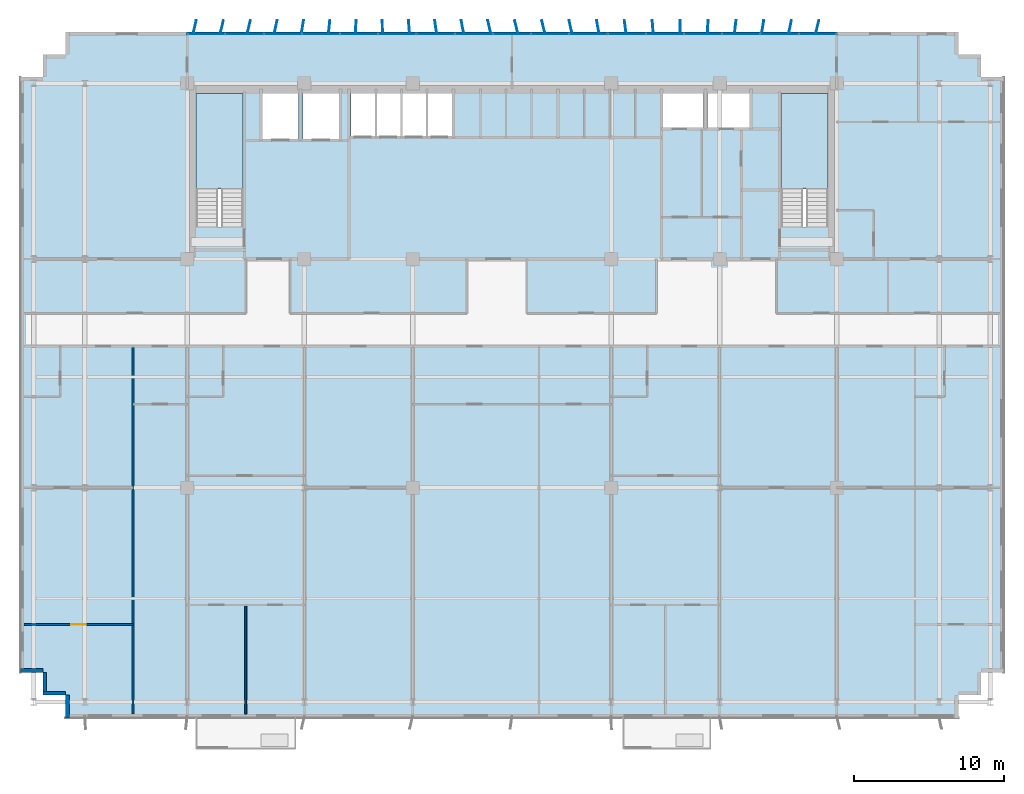
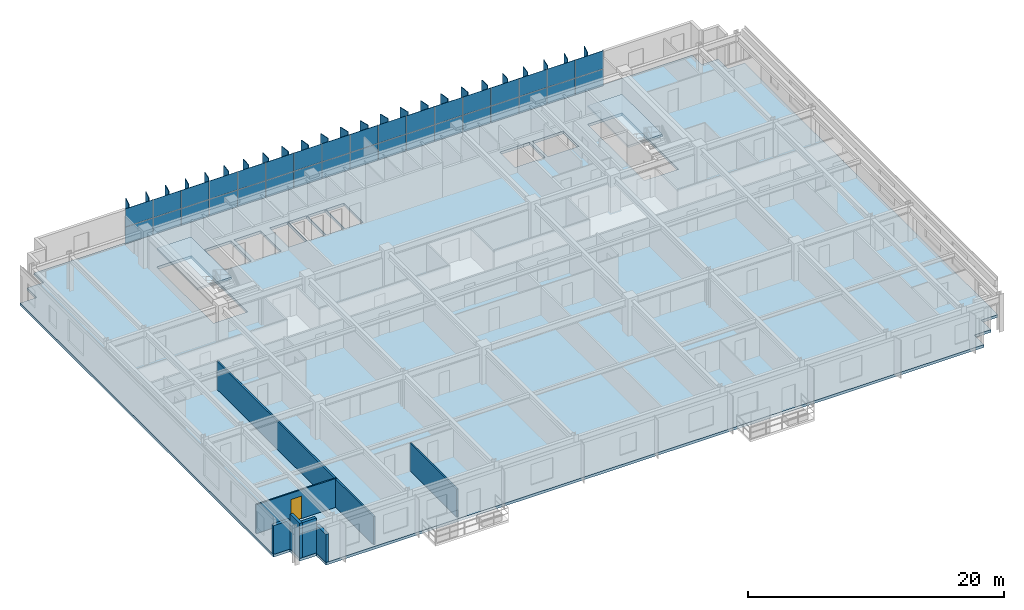
# One storey, part 14 of 22: 58 plates, 7 walls, 3 slabs, 1 door, 1 opening, 3 elements without a shape of their own.
"""IFC4 building model written with IfcOpenShell, lengths in metres."""

from ifc_helpers import new_model, si_unit, direction, frame, frame_2d, origin, origin_2d, place, context, subcontext, project, spatial, polyline, rectangle, outline, extrude, source, transform, mapped, material, layer, layer_set, type_object, element, fill, aggregate, save


model = new_model("IFC4")

# Units and contexts
model_context = context("Model", 3, precision=1e-05, world=origin(), true_north=direction((0.0, 1.0)))
body_context = subcontext(model_context, "Body", "Model", "MODEL_VIEW")
ifc_project = project(units=[si_unit("LENGTHUNIT", "METRE"), si_unit("AREAUNIT", "SQUARE_METRE"), si_unit("VOLUMEUNIT", "CUBIC_METRE"), si_unit("PLANEANGLEUNIT", "RADIAN"), si_unit("MASSUNIT", "GRAM", prefix="KILO")], contexts=[model_context])

# Site, building, storey
site_placement = place(None, origin())
site = spatial("IfcSite", under=ifc_project, at=site_placement, CompositionType="ELEMENT")
building_placement = place(site_placement, origin())
building = spatial("IfcBuilding", under=site, at=building_placement, Name="Trelvane Seafront Commons", CompositionType="ELEMENT")
storey_placement = place(building_placement, frame((0.0, 0.0, 45.10009765625)))
storey = spatial("IfcBuildingStorey", under=building, at=storey_placement, Name="L11", CompositionType="ELEMENT", Elevation=45.10009765625)

# Stair, slab
ifc_material_1 = material(Name="Concrete C40/50", Category="concrete")
stair_type_1 = type_object("IfcStairType", Name="ARCH-STR-ST-1-R20-180", PredefinedType="HALF_TURN_STAIR", material=ifc_material_1)
stair_1_placement = place(storey_placement, origin())
stair_1 = element("IfcStair", 1, at=stair_1_placement, inside=storey, type_object=stair_type_1, Name="L11 West Protected Firefighting Exit Stair ST-1", PredefinedType="HALF_TURN_STAIR")
ifc_layer_1 = layer(ifc_material_1, 0.199951171875, Name="ARCH-LND-200")
ifc_layer_set_1 = layer_set([ifc_layer_1], Name="Concrete C40/50")
slab_type_1 = type_object("IfcSlabType", Name="ARCH-LND-200", PredefinedType="LANDING", material=ifc_layer_set_1)
slab_1_placement = place(storey_placement, frame((0.0, 0.0, 1.599853515625)))
slab_1 = element("IfcSlab", 2, at=slab_1_placement, type_object=slab_type_1, Name="ST-1 landing 1", PredefinedType="LANDING", context=body_context, shape_type="SweptSolid", body=[
    extrude(outline(polyline([(19.300048828125, 38.070068359375), (19.300048828125, 44.39990234375), (16.199951171875, 44.39990234375), (16.199951171875, 38.070068359375), (19.300048828125, 38.070068359375)])), origin(), (0.0, 0.0, 1.0), 0.199951171875),
])
aggregate(stair_1, [slab_1])

stair_type_2 = type_object("IfcStairType", Name="ARCH-STR-ST-2-R20-180", PredefinedType="HALF_TURN_STAIR", material=ifc_material_1)
stair_2_placement = place(storey_placement, origin())
stair_2 = element("IfcStair", 3, at=stair_2_placement, inside=storey, type_object=stair_type_2, Name="L11 East Protected Firefighting Exit Stair ST-2", PredefinedType="HALF_TURN_STAIR")
slab_2_placement = place(storey_placement, frame((0.0, 0.0, 1.599853515625)))
slab_2 = element("IfcSlab", 4, at=slab_2_placement, type_object=slab_type_1, Name="ST-2 landing 1", PredefinedType="LANDING", context=body_context, shape_type="SweptSolid", body=[
    extrude(outline(polyline([(58.199951171875, 38.070068359375), (58.199951171875, 44.39990234375), (55.10009765625, 44.39990234375), (55.10009765625, 38.070068359375), (58.199951171875, 38.070068359375)])), origin(), (0.0, 0.0, 1.0), 0.199951171875),
])
aggregate(stair_2, [slab_2])

# Slab
ifc_material_2 = material(Name="Concrete C50/60", Category="concrete")
ifc_layer_2 = layer(ifc_material_2, 0.260009765625, Name="STR-SLB-Z1-260")
ifc_layer_set_2 = layer_set([ifc_layer_2], Name="Concrete C50/60")
slab_type_2 = type_object("IfcSlabType", Name="STR-SLB-Z1-260", PredefinedType="FLOOR", material=ifc_layer_set_2)
slab_3_placement = place(storey_placement, frame((0.0, 0.0, -0.260009765625)))
element("IfcSlab", 5, at=slab_3_placement, inside=storey, type_object=slab_type_2, Name="L11 Structural Floor Slab", PredefinedType="FLOOR", context=body_context, shape_type="SweptSolid", body=[
    extrude(outline(polyline([(7.5, 2.89990234375), (66.89990234375, 2.89990234375), (66.89990234375, 4.39990234375), (68.39990234375, 4.39990234375), (68.39990234375, 5.89990234375), (69.89990234375, 5.89990234375), (69.89990234375, 45.5), (68.39990234375, 45.5), (68.39990234375, 47.0), (66.89990234375, 47.0), (66.89990234375, 48.5), (7.5, 48.5), (7.5, 47.0), (6.0, 47.0), (6.0, 45.5), (4.5, 45.5), (4.5, 5.89990234375), (6.0, 5.89990234375), (6.0, 4.39990234375), (7.5, 4.39990234375), (7.5, 2.89990234375)]), holes=[polyline([(19.300048828125, 35.550048828125), (16.199951171875, 35.550048828125), (16.199951171875, 44.39990234375), (19.300048828125, 44.39990234375), (19.300048828125, 35.550048828125)]), polyline([(58.199951171875, 35.550048828125), (55.10009765625, 35.550048828125), (55.10009765625, 44.39990234375), (58.199951171875, 44.39990234375), (58.199951171875, 35.550048828125)]), polyline([(23.0, 41.39990234375), (20.60009765625, 41.39990234375), (20.60009765625, 44.60009765625), (23.0, 44.60009765625), (23.0, 41.39990234375)]), polyline([(23.300048828125, 41.39990234375), (23.300048828125, 44.60009765625), (25.699951171875, 44.60009765625), (25.699951171875, 41.39990234375), (23.300048828125, 41.39990234375)]), polyline([(26.5, 41.60009765625), (26.5, 44.60009765625), (28.1201171875, 44.60009765625), (28.1201171875, 41.60009765625), (26.5, 41.60009765625)]), polyline([(29.820068359375, 41.60009765625), (28.199951171875, 41.60009765625), (28.199951171875, 44.60009765625), (29.820068359375, 44.60009765625), (29.820068359375, 41.60009765625)]), polyline([(31.52001953125, 41.60009765625), (29.89990234375, 41.60009765625), (29.89990234375, 44.60009765625), (31.52001953125, 44.60009765625), (31.52001953125, 41.60009765625)]), polyline([(33.219970703125, 41.60009765625), (31.60009765625, 41.60009765625), (31.60009765625, 44.60009765625), (33.219970703125, 44.60009765625), (33.219970703125, 41.60009765625)]), polyline([(47.25, 42.14990234375), (47.25, 44.550048828125), (49.949951171875, 44.550048828125), (49.949951171875, 42.14990234375), (47.25, 42.14990234375)]), polyline([(50.199951171875, 42.14990234375), (50.199951171875, 44.550048828125), (53.0, 44.550048828125), (53.0, 42.14990234375), (50.199951171875, 42.14990234375)])]), origin(), (0.0, 0.0, 1.0), 0.260009765625),
])

# Curtain wall, plates
ifc_material_3 = material(Name="Anodised pale-silver aluminium", Category="aluminium")
curtain_wall_type = type_object("IfcCurtainWallType", Name="ARCH-CW2-LOWTOWER", PredefinedType="NOTDEFINED", material=ifc_material_3)
curtain_wall_placement = place(storey_placement, origin())
curtain_wall = element("IfcCurtainWall", 6, at=curtain_wall_placement, inside=storey, type_object=curtain_wall_type, Name="CW-L11-0035", PredefinedType="NOTDEFINED")
ifc_material_4 = material(Name="Low-E coastal double glazing", Category="glass")
ifc_layer_3 = layer(ifc_material_4, 0.033935546875, Name="ARCH-CW-GLAZ-34")
ifc_layer_set_3 = layer_set([ifc_layer_3], Name="Low-E coastal double glazing")
plate_type_1 = type_object("IfcPlateType", Name="ARCH-CW-GLAZ-34", PredefinedType="CURTAIN_PANEL", material=ifc_layer_set_3)
shared_shape_1 = source(origin(), body_context, "Body", "SweptSolid", [
    extrude(rectangle(XDim=2.51708984375, YDim=0.031982421875, at=origin_2d()), origin(), (0.0, 0.0, 1.0), 1.5849609375),
])
plate_1_placement = place(storey_placement, frame((16.87060546875, 48.3701171875, 0.0), z_axis=(0.0, 0.0, 1.0), x_axis=(1.0, 0.0, 0.0)))
plate_1 = element("IfcPlate", 7, at=plate_1_placement, type_object=plate_type_1, Name="CW-L11-0035-P00-1", PredefinedType="CURTAIN_PANEL", context=body_context, shape_type="MappedRepresentation", body=[
    mapped(shared_shape_1, transform((0.0, 0.0, 0.0), x_axis=(1.0, 0.0, 0.0), y_axis=(0.0, 1.0, 0.0), z_axis=(0.0, 0.0, 1.0), scale=1.0)),
])
plate_2_placement = place(storey_placement, frame((19.411865234375, 48.3701171875, 0.0), z_axis=(0.0, 0.0, 1.0), x_axis=(1.0, 0.0, 0.0)))
plate_2 = element("IfcPlate", 8, at=plate_2_placement, type_object=plate_type_1, Name="CW-L11-0035-P01-1", PredefinedType="CURTAIN_PANEL", context=body_context, shape_type="MappedRepresentation", body=[
    mapped(shared_shape_1, transform((0.0, 0.0, 0.0), x_axis=(1.0, 0.0, 0.0), y_axis=(0.0, 1.0, 0.0), z_axis=(0.0, 0.0, 1.0), scale=1.0)),
])
plate_3_placement = place(storey_placement, frame((21.952880859375, 48.3701171875, 0.0), z_axis=(0.0, 0.0, 1.0), x_axis=(1.0, 0.0, 0.0)))
plate_3 = element("IfcPlate", 9, at=plate_3_placement, type_object=plate_type_1, Name="CW-L11-0035-P02-1", PredefinedType="CURTAIN_PANEL", context=body_context, shape_type="MappedRepresentation", body=[
    mapped(shared_shape_1, transform((0.0, 0.0, 0.0), x_axis=(1.0, 0.0, 0.0), y_axis=(0.0, 1.0, 0.0), z_axis=(0.0, 0.0, 1.0), scale=1.0)),
])
plate_4_placement = place(storey_placement, frame((24.494140625, 48.3701171875, 0.0), z_axis=(0.0, 0.0, 1.0), x_axis=(1.0, 0.0, 0.0)))
plate_4 = element("IfcPlate", 10, at=plate_4_placement, type_object=plate_type_1, Name="CW-L11-0035-P03-1", PredefinedType="CURTAIN_PANEL", context=body_context, shape_type="MappedRepresentation", body=[
    mapped(shared_shape_1, transform((0.0, 0.0, 0.0), x_axis=(1.0, 0.0, 0.0), y_axis=(0.0, 1.0, 0.0), z_axis=(0.0, 0.0, 1.0), scale=1.0)),
])
plate_5_placement = place(storey_placement, frame((27.035400390625, 48.3701171875, 0.0), z_axis=(0.0, 0.0, 1.0), x_axis=(1.0, 0.0, 0.0)))
plate_5 = element("IfcPlate", 11, at=plate_5_placement, type_object=plate_type_1, Name="CW-L11-0035-P04-1", PredefinedType="CURTAIN_PANEL", context=body_context, shape_type="MappedRepresentation", body=[
    mapped(shared_shape_1, transform((0.0, 0.0, 0.0), x_axis=(1.0, 0.0, 0.0), y_axis=(0.0, 1.0, 0.0), z_axis=(0.0, 0.0, 1.0), scale=1.0)),
])
plate_6_placement = place(storey_placement, frame((29.576416015625, 48.3701171875, 0.0), z_axis=(0.0, 0.0, 1.0), x_axis=(1.0, 0.0, 0.0)))
plate_6 = element("IfcPlate", 12, at=plate_6_placement, type_object=plate_type_1, Name="CW-L11-0035-P05-1", PredefinedType="CURTAIN_PANEL", context=body_context, shape_type="MappedRepresentation", body=[
    mapped(shared_shape_1, transform((0.0, 0.0, 0.0), x_axis=(1.0, 0.0, 0.0), y_axis=(0.0, 1.0, 0.0), z_axis=(0.0, 0.0, 1.0), scale=1.0)),
])
plate_7_placement = place(storey_placement, frame((32.11767578125, 48.3701171875, 0.0), z_axis=(0.0, 0.0, 1.0), x_axis=(1.0, 0.0, 0.0)))
plate_7 = element("IfcPlate", 13, at=plate_7_placement, type_object=plate_type_1, Name="CW-L11-0035-P06-1", PredefinedType="CURTAIN_PANEL", context=body_context, shape_type="MappedRepresentation", body=[
    mapped(shared_shape_1, transform((0.0, 0.0, 0.0), x_axis=(1.0, 0.0, 0.0), y_axis=(0.0, 1.0, 0.0), z_axis=(0.0, 0.0, 1.0), scale=1.0)),
])
plate_8_placement = place(storey_placement, frame((34.65869140625, 48.3701171875, 0.0), z_axis=(0.0, 0.0, 1.0), x_axis=(1.0, 0.0, 0.0)))
plate_8 = element("IfcPlate", 14, at=plate_8_placement, type_object=plate_type_1, Name="CW-L11-0035-P07-1", PredefinedType="CURTAIN_PANEL", context=body_context, shape_type="MappedRepresentation", body=[
    mapped(shared_shape_1, transform((0.0, 0.0, 0.0), x_axis=(1.0, 0.0, 0.0), y_axis=(0.0, 1.0, 0.0), z_axis=(0.0, 0.0, 1.0), scale=1.0)),
])
plate_9_placement = place(storey_placement, frame((37.199951171875, 48.3701171875, 0.0), z_axis=(0.0, 0.0, 1.0), x_axis=(1.0, 0.0, 0.0)))
plate_9 = element("IfcPlate", 15, at=plate_9_placement, type_object=plate_type_1, Name="CW-L11-0035-P08-1", PredefinedType="CURTAIN_PANEL", context=body_context, shape_type="MappedRepresentation", body=[
    mapped(shared_shape_1, transform((0.0, 0.0, 0.0), x_axis=(1.0, 0.0, 0.0), y_axis=(0.0, 1.0, 0.0), z_axis=(0.0, 0.0, 1.0), scale=1.0)),
])
plate_10_placement = place(storey_placement, frame((39.7412109375, 48.3701171875, 0.0), z_axis=(0.0, 0.0, 1.0), x_axis=(1.0, 0.0, 0.0)))
plate_10 = element("IfcPlate", 16, at=plate_10_placement, type_object=plate_type_1, Name="CW-L11-0035-P09-1", PredefinedType="CURTAIN_PANEL", context=body_context, shape_type="MappedRepresentation", body=[
    mapped(shared_shape_1, transform((0.0, 0.0, 0.0), x_axis=(1.0, 0.0, 0.0), y_axis=(0.0, 1.0, 0.0), z_axis=(0.0, 0.0, 1.0), scale=1.0)),
])
plate_11_placement = place(storey_placement, frame((42.282470703125, 48.3701171875, 0.0), z_axis=(0.0, 0.0, 1.0), x_axis=(1.0, 0.0, 0.0)))
plate_11 = element("IfcPlate", 17, at=plate_11_placement, type_object=plate_type_1, Name="CW-L11-0035-P10-1", PredefinedType="CURTAIN_PANEL", context=body_context, shape_type="MappedRepresentation", body=[
    mapped(shared_shape_1, transform((0.0, 0.0, 0.0), x_axis=(1.0, 0.0, 0.0), y_axis=(0.0, 1.0, 0.0), z_axis=(0.0, 0.0, 1.0), scale=1.0)),
])
plate_12_placement = place(storey_placement, frame((44.823486328125, 48.3701171875, 0.0), z_axis=(0.0, 0.0, 1.0), x_axis=(1.0, 0.0, 0.0)))
plate_12 = element("IfcPlate", 18, at=plate_12_placement, type_object=plate_type_1, Name="CW-L11-0035-P11-1", PredefinedType="CURTAIN_PANEL", context=body_context, shape_type="MappedRepresentation", body=[
    mapped(shared_shape_1, transform((0.0, 0.0, 0.0), x_axis=(1.0, 0.0, 0.0), y_axis=(0.0, 1.0, 0.0), z_axis=(0.0, 0.0, 1.0), scale=1.0)),
])
plate_13_placement = place(storey_placement, frame((47.36474609375, 48.3701171875, 0.0), z_axis=(0.0, 0.0, 1.0), x_axis=(1.0, 0.0, 0.0)))
plate_13 = element("IfcPlate", 19, at=plate_13_placement, type_object=plate_type_1, Name="CW-L11-0035-P12-1", PredefinedType="CURTAIN_PANEL", context=body_context, shape_type="MappedRepresentation", body=[
    mapped(shared_shape_1, transform((0.0, 0.0, 0.0), x_axis=(1.0, 0.0, 0.0), y_axis=(0.0, 1.0, 0.0), z_axis=(0.0, 0.0, 1.0), scale=1.0)),
])
plate_14_placement = place(storey_placement, frame((49.906005859375, 48.3701171875, 0.0), z_axis=(0.0, 0.0, 1.0), x_axis=(1.0, 0.0, 0.0)))
plate_14 = element("IfcPlate", 20, at=plate_14_placement, type_object=plate_type_1, Name="CW-L11-0035-P13-1", PredefinedType="CURTAIN_PANEL", context=body_context, shape_type="MappedRepresentation", body=[
    mapped(shared_shape_1, transform((0.0, 0.0, 0.0), x_axis=(1.0, 0.0, 0.0), y_axis=(0.0, 1.0, 0.0), z_axis=(0.0, 0.0, 1.0), scale=1.0)),
])
plate_15_placement = place(storey_placement, frame((52.447021484375, 48.3701171875, 0.0), z_axis=(0.0, 0.0, 1.0), x_axis=(1.0, 0.0, 0.0)))
plate_15 = element("IfcPlate", 21, at=plate_15_placement, type_object=plate_type_1, Name="CW-L11-0035-P14-1", PredefinedType="CURTAIN_PANEL", context=body_context, shape_type="MappedRepresentation", body=[
    mapped(shared_shape_1, transform((0.0, 0.0, 0.0), x_axis=(1.0, 0.0, 0.0), y_axis=(0.0, 1.0, 0.0), z_axis=(0.0, 0.0, 1.0), scale=1.0)),
])
plate_16_placement = place(storey_placement, frame((54.98828125, 48.3701171875, 0.0), z_axis=(0.0, 0.0, 1.0), x_axis=(1.0, 0.0, 0.0)))
plate_16 = element("IfcPlate", 22, at=plate_16_placement, type_object=plate_type_1, Name="CW-L11-0035-P15-1", PredefinedType="CURTAIN_PANEL", context=body_context, shape_type="MappedRepresentation", body=[
    mapped(shared_shape_1, transform((0.0, 0.0, 0.0), x_axis=(1.0, 0.0, 0.0), y_axis=(0.0, 1.0, 0.0), z_axis=(0.0, 0.0, 1.0), scale=1.0)),
])
plate_17_placement = place(storey_placement, frame((57.529296875, 48.3701171875, 0.0), z_axis=(0.0, 0.0, 1.0), x_axis=(1.0, 0.0, 0.0)))
plate_17 = element("IfcPlate", 23, at=plate_17_placement, type_object=plate_type_1, Name="CW-L11-0035-P16-1", PredefinedType="CURTAIN_PANEL", context=body_context, shape_type="MappedRepresentation", body=[
    mapped(shared_shape_1, transform((0.0, 0.0, 0.0), x_axis=(1.0, 0.0, 0.0), y_axis=(0.0, 1.0, 0.0), z_axis=(0.0, 0.0, 1.0), scale=1.0)),
])
shared_shape_2 = source(origin(), body_context, "Body", "SweptSolid", [
    extrude(rectangle(XDim=2.51708984375, YDim=0.031982421875, at=origin_2d()), origin(), (0.0, 0.0, 1.0), 1.718994140625),
])
plate_18_placement = place(storey_placement, frame((16.87060546875, 48.3701171875, 1.62109375), z_axis=(0.0, 0.0, 1.0), x_axis=(1.0, 0.0, 0.0)))
plate_18 = element("IfcPlate", 24, at=plate_18_placement, type_object=plate_type_1, Name="CW-L11-0035-P00-2", PredefinedType="CURTAIN_PANEL", context=body_context, shape_type="MappedRepresentation", body=[
    mapped(shared_shape_2, transform((0.0, 0.0, 0.0), x_axis=(1.0, 0.0, 0.0), y_axis=(0.0, 1.0, 0.0), z_axis=(0.0, 0.0, 1.0), scale=1.0)),
])
plate_19_placement = place(storey_placement, frame((19.411865234375, 48.3701171875, 1.62109375), z_axis=(0.0, 0.0, 1.0), x_axis=(1.0, 0.0, 0.0)))
plate_19 = element("IfcPlate", 25, at=plate_19_placement, type_object=plate_type_1, Name="CW-L11-0035-P01-2", PredefinedType="CURTAIN_PANEL", context=body_context, shape_type="MappedRepresentation", body=[
    mapped(shared_shape_2, transform((0.0, 0.0, 0.0), x_axis=(1.0, 0.0, 0.0), y_axis=(0.0, 1.0, 0.0), z_axis=(0.0, 0.0, 1.0), scale=1.0)),
])
plate_20_placement = place(storey_placement, frame((21.952880859375, 48.3701171875, 1.62109375), z_axis=(0.0, 0.0, 1.0), x_axis=(1.0, 0.0, 0.0)))
plate_20 = element("IfcPlate", 26, at=plate_20_placement, type_object=plate_type_1, Name="CW-L11-0035-P02-2", PredefinedType="CURTAIN_PANEL", context=body_context, shape_type="MappedRepresentation", body=[
    mapped(shared_shape_2, transform((0.0, 0.0, 0.0), x_axis=(1.0, 0.0, 0.0), y_axis=(0.0, 1.0, 0.0), z_axis=(0.0, 0.0, 1.0), scale=1.0)),
])
plate_21_placement = place(storey_placement, frame((24.494140625, 48.3701171875, 1.62109375), z_axis=(0.0, 0.0, 1.0), x_axis=(1.0, 0.0, 0.0)))
plate_21 = element("IfcPlate", 27, at=plate_21_placement, type_object=plate_type_1, Name="CW-L11-0035-P03-2", PredefinedType="CURTAIN_PANEL", context=body_context, shape_type="MappedRepresentation", body=[
    mapped(shared_shape_2, transform((0.0, 0.0, 0.0), x_axis=(1.0, 0.0, 0.0), y_axis=(0.0, 1.0, 0.0), z_axis=(0.0, 0.0, 1.0), scale=1.0)),
])
plate_22_placement = place(storey_placement, frame((27.035400390625, 48.3701171875, 1.62109375), z_axis=(0.0, 0.0, 1.0), x_axis=(1.0, 0.0, 0.0)))
plate_22 = element("IfcPlate", 28, at=plate_22_placement, type_object=plate_type_1, Name="CW-L11-0035-P04-2", PredefinedType="CURTAIN_PANEL", context=body_context, shape_type="MappedRepresentation", body=[
    mapped(shared_shape_2, transform((0.0, 0.0, 0.0), x_axis=(1.0, 0.0, 0.0), y_axis=(0.0, 1.0, 0.0), z_axis=(0.0, 0.0, 1.0), scale=1.0)),
])
plate_23_placement = place(storey_placement, frame((29.576416015625, 48.3701171875, 1.62109375), z_axis=(0.0, 0.0, 1.0), x_axis=(1.0, 0.0, 0.0)))
plate_23 = element("IfcPlate", 29, at=plate_23_placement, type_object=plate_type_1, Name="CW-L11-0035-P05-2", PredefinedType="CURTAIN_PANEL", context=body_context, shape_type="MappedRepresentation", body=[
    mapped(shared_shape_2, transform((0.0, 0.0, 0.0), x_axis=(1.0, 0.0, 0.0), y_axis=(0.0, 1.0, 0.0), z_axis=(0.0, 0.0, 1.0), scale=1.0)),
])
plate_24_placement = place(storey_placement, frame((32.11767578125, 48.3701171875, 1.62109375), z_axis=(0.0, 0.0, 1.0), x_axis=(1.0, 0.0, 0.0)))
plate_24 = element("IfcPlate", 30, at=plate_24_placement, type_object=plate_type_1, Name="CW-L11-0035-P06-2", PredefinedType="CURTAIN_PANEL", context=body_context, shape_type="MappedRepresentation", body=[
    mapped(shared_shape_2, transform((0.0, 0.0, 0.0), x_axis=(1.0, 0.0, 0.0), y_axis=(0.0, 1.0, 0.0), z_axis=(0.0, 0.0, 1.0), scale=1.0)),
])
plate_25_placement = place(storey_placement, frame((34.65869140625, 48.3701171875, 1.62109375), z_axis=(0.0, 0.0, 1.0), x_axis=(1.0, 0.0, 0.0)))
plate_25 = element("IfcPlate", 31, at=plate_25_placement, type_object=plate_type_1, Name="CW-L11-0035-P07-2", PredefinedType="CURTAIN_PANEL", context=body_context, shape_type="MappedRepresentation", body=[
    mapped(shared_shape_2, transform((0.0, 0.0, 0.0), x_axis=(1.0, 0.0, 0.0), y_axis=(0.0, 1.0, 0.0), z_axis=(0.0, 0.0, 1.0), scale=1.0)),
])
plate_26_placement = place(storey_placement, frame((37.199951171875, 48.3701171875, 1.62109375), z_axis=(0.0, 0.0, 1.0), x_axis=(1.0, 0.0, 0.0)))
plate_26 = element("IfcPlate", 32, at=plate_26_placement, type_object=plate_type_1, Name="CW-L11-0035-P08-2", PredefinedType="CURTAIN_PANEL", context=body_context, shape_type="MappedRepresentation", body=[
    mapped(shared_shape_2, transform((0.0, 0.0, 0.0), x_axis=(1.0, 0.0, 0.0), y_axis=(0.0, 1.0, 0.0), z_axis=(0.0, 0.0, 1.0), scale=1.0)),
])
plate_27_placement = place(storey_placement, frame((39.7412109375, 48.3701171875, 1.62109375), z_axis=(0.0, 0.0, 1.0), x_axis=(1.0, 0.0, 0.0)))
plate_27 = element("IfcPlate", 33, at=plate_27_placement, type_object=plate_type_1, Name="CW-L11-0035-P09-2", PredefinedType="CURTAIN_PANEL", context=body_context, shape_type="MappedRepresentation", body=[
    mapped(shared_shape_2, transform((0.0, 0.0, 0.0), x_axis=(1.0, 0.0, 0.0), y_axis=(0.0, 1.0, 0.0), z_axis=(0.0, 0.0, 1.0), scale=1.0)),
])
plate_28_placement = place(storey_placement, frame((42.282470703125, 48.3701171875, 1.62109375), z_axis=(0.0, 0.0, 1.0), x_axis=(1.0, 0.0, 0.0)))
plate_28 = element("IfcPlate", 34, at=plate_28_placement, type_object=plate_type_1, Name="CW-L11-0035-P10-2", PredefinedType="CURTAIN_PANEL", context=body_context, shape_type="MappedRepresentation", body=[
    mapped(shared_shape_2, transform((0.0, 0.0, 0.0), x_axis=(1.0, 0.0, 0.0), y_axis=(0.0, 1.0, 0.0), z_axis=(0.0, 0.0, 1.0), scale=1.0)),
])
plate_29_placement = place(storey_placement, frame((44.823486328125, 48.3701171875, 1.62109375), z_axis=(0.0, 0.0, 1.0), x_axis=(1.0, 0.0, 0.0)))
plate_29 = element("IfcPlate", 35, at=plate_29_placement, type_object=plate_type_1, Name="CW-L11-0035-P11-2", PredefinedType="CURTAIN_PANEL", context=body_context, shape_type="MappedRepresentation", body=[
    mapped(shared_shape_2, transform((0.0, 0.0, 0.0), x_axis=(1.0, 0.0, 0.0), y_axis=(0.0, 1.0, 0.0), z_axis=(0.0, 0.0, 1.0), scale=1.0)),
])
plate_30_placement = place(storey_placement, frame((47.36474609375, 48.3701171875, 1.62109375), z_axis=(0.0, 0.0, 1.0), x_axis=(1.0, 0.0, 0.0)))
plate_30 = element("IfcPlate", 36, at=plate_30_placement, type_object=plate_type_1, Name="CW-L11-0035-P12-2", PredefinedType="CURTAIN_PANEL", context=body_context, shape_type="MappedRepresentation", body=[
    mapped(shared_shape_2, transform((0.0, 0.0, 0.0), x_axis=(1.0, 0.0, 0.0), y_axis=(0.0, 1.0, 0.0), z_axis=(0.0, 0.0, 1.0), scale=1.0)),
])
plate_31_placement = place(storey_placement, frame((49.906005859375, 48.3701171875, 1.62109375), z_axis=(0.0, 0.0, 1.0), x_axis=(1.0, 0.0, 0.0)))
plate_31 = element("IfcPlate", 37, at=plate_31_placement, type_object=plate_type_1, Name="CW-L11-0035-P13-2", PredefinedType="CURTAIN_PANEL", context=body_context, shape_type="MappedRepresentation", body=[
    mapped(shared_shape_2, transform((0.0, 0.0, 0.0), x_axis=(1.0, 0.0, 0.0), y_axis=(0.0, 1.0, 0.0), z_axis=(0.0, 0.0, 1.0), scale=1.0)),
])
plate_32_placement = place(storey_placement, frame((52.447021484375, 48.3701171875, 1.62109375), z_axis=(0.0, 0.0, 1.0), x_axis=(1.0, 0.0, 0.0)))
plate_32 = element("IfcPlate", 38, at=plate_32_placement, type_object=plate_type_1, Name="CW-L11-0035-P14-2", PredefinedType="CURTAIN_PANEL", context=body_context, shape_type="MappedRepresentation", body=[
    mapped(shared_shape_2, transform((0.0, 0.0, 0.0), x_axis=(1.0, 0.0, 0.0), y_axis=(0.0, 1.0, 0.0), z_axis=(0.0, 0.0, 1.0), scale=1.0)),
])
plate_33_placement = place(storey_placement, frame((54.98828125, 48.3701171875, 1.62109375), z_axis=(0.0, 0.0, 1.0), x_axis=(1.0, 0.0, 0.0)))
plate_33 = element("IfcPlate", 39, at=plate_33_placement, type_object=plate_type_1, Name="CW-L11-0035-P15-2", PredefinedType="CURTAIN_PANEL", context=body_context, shape_type="MappedRepresentation", body=[
    mapped(shared_shape_2, transform((0.0, 0.0, 0.0), x_axis=(1.0, 0.0, 0.0), y_axis=(0.0, 1.0, 0.0), z_axis=(0.0, 0.0, 1.0), scale=1.0)),
])
plate_34_placement = place(storey_placement, frame((57.529296875, 48.3701171875, 1.62109375), z_axis=(0.0, 0.0, 1.0), x_axis=(1.0, 0.0, 0.0)))
plate_34 = element("IfcPlate", 40, at=plate_34_placement, type_object=plate_type_1, Name="CW-L11-0035-P16-2", PredefinedType="CURTAIN_PANEL", context=body_context, shape_type="MappedRepresentation", body=[
    mapped(shared_shape_2, transform((0.0, 0.0, 0.0), x_axis=(1.0, 0.0, 0.0), y_axis=(0.0, 1.0, 0.0), z_axis=(0.0, 0.0, 1.0), scale=1.0)),
])
aggregate(curtain_wall, [plate_1, plate_18, plate_2, plate_19, plate_3, plate_20, plate_4, plate_21, plate_5, plate_22, plate_6, plate_23, plate_7, plate_24, plate_8, plate_25, plate_9, plate_26, plate_10, plate_27, plate_11, plate_28, plate_12, plate_29, plate_13, plate_30, plate_14, plate_31, plate_15, plate_32, plate_16, plate_33, plate_17, plate_34])

# Plates
ifc_layer_4 = layer(ifc_material_3, 0.06005859375, Name="ARCH-PLATE-FIN900")
ifc_layer_set_4 = layer_set([ifc_layer_4], Name="Anodised pale-silver aluminium")
plate_type_2 = type_object("IfcPlateType", Name="ARCH-PLATE-FIN900", PredefinedType="USERDEFINED", material=ifc_layer_set_4)
shared_shape_3 = source(origin(), body_context, "Body", "SweptSolid", [
    extrude(rectangle(XDim=0.89990234375, YDim=0.06005859375, at=origin_2d()), origin(), (0.0, 0.0, 1.0), 3.639892578125),
])
for number, where, z_axis, x_axis, name in (
    (41, (16.10546875, 48.83740234375, -0.02001953125), (0.0, 0.0, 1.0), (0.234448228937, 0.972128606692, 0.0), "FIN-L11-00196"),
    (42, (17.908935546875, 48.836669921875, -0.02001953125), (0.0, 0.0, 1.0), (0.241881251735, 0.970305859025, 0.0), "FIN-L11-00197"),
    (43, (19.704345703125, 48.837646484375, -0.02001953125), (0.0, 0.0, 1.0), (0.231669803294, 0.972794480988, 0.0), "FIN-L11-00198"),
    (44, (21.491943359375, 48.840576171875, -0.02001953125), (0.0, 0.0, 1.0), (0.20444308972, 0.97887845163, 0.0), "FIN-L11-00199"),
    (45, (23.27294921875, 48.843994140625, -0.02001953125), (0.0, 0.0, 1.0), (0.162001679621, 0.98679048222, 0.0), "FIN-L11-00200"),
    (46, (25.04833984375, 48.847412109375, -0.02001953125), (0.0, 0.0, 1.0), (0.107333045129, 0.994223122555, 0.0), "FIN-L11-00201"),
    (47, (26.81982421875, 48.849609375, -0.02001953125), (0.0, 0.0, 1.0), (0.044334280051, 0.999016752418, 0.0), "FIN-L11-00202"),
    (48, (28.590087890625, 48.849853515625, -0.02001953125), (0.0, 0.0, 1.0), (-0.022109774532, 0.999755549057, 0.0), "FIN-L11-00203"),
    (49, (30.36083984375, 48.848388671875, -0.02001953125), (0.0, 0.0, 1.0), (-0.08688798169, 0.996218087889, 0.0), "FIN-L11-00204"),
    (50, (32.135009765625, 48.84521484375, -0.02001953125), (0.0, 0.0, 1.0), (-0.144781041566, 0.989463718386, 0.0), "FIN-L11-00205"),
    (51, (33.913818359375, 48.841796875, -0.02001953125), (0.0, 0.0, 1.0), (-0.191776895837, 0.981438547349, 0.0), "FIN-L11-00206"),
    (52, (35.698974609375, 48.83837890625, -0.02001953125), (0.0, 0.0, 1.0), (-0.224323487599, 0.974514737144, 0.0), "FIN-L11-00207"),
    (53, (37.49169921875, 48.8369140625, -0.02001953125), (0.0, 0.0, 1.0), (-0.240338165223, 0.970689222325, 0.0), "FIN-L11-00208"),
    (54, (39.29248046875, 48.8369140625, -0.02001953125), (0.0, 0.0, 1.0), (-0.238899549618, 0.971044285907, 0.0), "FIN-L11-00209"),
    (55, (41.100830078125, 48.8388671875, -0.02001953125), (0.0, 0.0, 1.0), (-0.220116913891, 0.975473497446, 0.0), "FIN-L11-00210"),
    (56, (42.916748046875, 48.84228515625, -0.02001953125), (0.0, 0.0, 1.0), (-0.184992583499, 0.982739916789, 0.0), "FIN-L11-00211"),
    (57, (44.73876953125, 48.845703125, -0.02001953125), (0.0, 0.0, 1.0), (-0.136006069036, 0.990708003998, 0.0), "FIN-L11-00212"),
    (58, (46.565673828125, 48.8486328125, -0.02001953125), (0.0, 0.0, 1.0), (-0.076551969259, 0.997065592628, 0.0), "FIN-L11-00213"),
    (59, (48.39501953125, 48.849853515625, -0.02001953125), (0.0, 0.0, 1.0), (-0.011222231525, 0.999937028777, 0.0), "FIN-L11-00214"),
    (60, (50.224853515625, 48.849365234375, -0.02001953125), (0.0, 0.0, 1.0), (0.055002460604, 0.998486218897, 0.0), "FIN-L11-00215"),
    (61, (52.052490234375, 48.846923828125, -0.02001953125), (0.0, 0.0, 1.0), (0.11700181188, 0.993131701245, 0.0), "FIN-L11-00216"),
    (62, (53.87646484375, 48.843505859375, -0.02001953125), (0.0, 0.0, 1.0), (0.169891315971, 0.985462805365, 0.0), "FIN-L11-00217"),
    (63, (55.694580078125, 48.840087890625, -0.02001953125), (0.0, 0.0, 1.0), (0.210007640537, 0.977699744766, 0.0), "FIN-L11-00218"),
    (64, (57.505615234375, 48.83740234375, -0.02001953125), (0.0, 0.0, 1.0), (0.234448228937, 0.972128606692, 0.0), "FIN-L11-00219"),
):
    element("IfcPlate", number, at=place(storey_placement, frame(where, z_axis=z_axis, x_axis=x_axis)), inside=storey, type_object=plate_type_2, Name=name, ObjectType="FIN", PredefinedType="USERDEFINED", context=body_context, shape_type="MappedRepresentation", body=[
        mapped(shared_shape_3, transform((0.0, 0.0, 0.0), x_axis=(1.0, 0.0, 0.0), y_axis=(0.0, 1.0, 0.0), z_axis=(0.0, 0.0, 1.0), scale=1.0)),
    ])

# Walls
ifc_material_5 = material(Name="Precast concrete C40/50", Category="concrete")
ifc_layer_5 = layer(ifc_material_5, 0.260009765625, Name="ARCH-WALL-EXT260")
ifc_layer_set_5 = layer_set([ifc_layer_5], Name="Precast concrete C40/50")
wall_type_1 = type_object("IfcWallType", Name="ARCH-WALL-EXT260", PredefinedType="SOLIDWALL", material=ifc_layer_set_5)
for number, where, z_axis, x_axis, name in (
    (65, (7.5, 4.530029296875, 0.0), (0.0, 0.0, 1.0), (-1.0, 0.0, 0.0), "EW-L11-00173"),
    (66, (6.1298828125, 4.39990234375, 0.0), (0.0, 0.0, 1.0), (0.0, 1.0, 0.0), "EW-L11-00174"),
):
    element("IfcWall", number, at=place(storey_placement, frame(where, z_axis=z_axis, x_axis=x_axis)), inside=storey, type_object=wall_type_1, Name=name, PredefinedType="SOLIDWALL", context=body_context, shape_type="SweptSolid", body=[
        extrude(rectangle(XDim=1.5, YDim=0.260009765625, at=frame_2d((0.75, 0.0))), origin(), (0.0, 0.0, 1.0), 3.33984375),
    ])
wall_1_placement = place(storey_placement, frame((6.0, 6.030029296875, 0.0), z_axis=(0.0, 0.0, 1.0), x_axis=(-1.0, 0.0, 0.0)))
element("IfcWall", 67, at=wall_1_placement, inside=storey, type_object=wall_type_1, Name="EW-L11-00175", PredefinedType="SOLIDWALL", context=body_context, shape_type="SweptSolid", body=[
    extrude(rectangle(XDim=1.5, YDim=0.260009765625, at=frame_2d((0.75, 0.0))), origin(), (0.0, 0.0, 1.0), 2.751953125),
])
wall_2_placement = place(storey_placement, frame((7.6298828125, 2.89990234375, 0.0), z_axis=(0.0, 0.0, 1.0), x_axis=(0.0, 1.0, 0.0)))
element("IfcWall", 68, at=wall_2_placement, inside=storey, type_object=wall_type_1, Name="EW-L11-00191", PredefinedType="SOLIDWALL", context=body_context, shape_type="SweptSolid", body=[
    extrude(rectangle(XDim=1.5, YDim=0.260009765625, at=frame_2d((0.75, 0.0))), origin(), (0.0, 0.0, 1.0), 2.68994140625),
])

# Wall, opening, door
ifc_material_6 = material(Name="Gypsum Drywall Acoustic Partition")
ifc_layer_6 = layer(ifc_material_6, 0.1201171875, Name="ARCH-WALL-PART120")
ifc_layer_set_6 = layer_set([ifc_layer_6], Name="Gypsum Drywall Acoustic Partition")
wall_type_2 = type_object("IfcWallType", Name="ARCH-WALL-PART120", PredefinedType="PARTITIONING", material=ifc_layer_set_6)
wall_3_placement = place(storey_placement, frame((4.760009765625, 9.10009765625, 0.0), z_axis=(0.0, 0.0, 1.0), x_axis=(1.0, 0.0, 0.0)))
wall_3 = element("IfcWall", 69, at=wall_3_placement, inside=storey, type_object=wall_type_2, Name="W-L11-U1-YM-1-072", PredefinedType="PARTITIONING", context=body_context, shape_type="SweptSolid", body=[
    extrude(rectangle(XDim=7.239990234375, YDim=0.1201171875, at=frame_2d((3.6201171875, 0.0))), origin(), (0.0, 0.0, 1.0), 2.751953125),
])
opening_placement = place(wall_3_placement, frame((3.14501953125, 0.0, 0.0)))
opening = element("IfcOpeningElement", 70, at=opening_placement, cuts=wall_3, Name="Opening D-L11-34", PredefinedType="OPENING", context=body_context, shape_type="SweptSolid", body=[
    extrude(rectangle(XDim=0.949951171875, YDim=2.14990234375, at=frame_2d((0.47509765625, 1.074951171875))), frame((0.0, 0.070068359375, 0.0), z_axis=(0.0, -1.0, 0.0), x_axis=(1.0, 0.0, 0.0)), (0.0, 0.0, 1.0), 0.14013671875),
])
ifc_material_7 = material(Name="Acoustic timber door leaf", Category="wood")
door_type = type_object("IfcDoorType", Name="ARCH-DR-INT950", OperationType="NOTDEFINED", PredefinedType="DOOR", material=ifc_material_7)
shared_shape_4 = source(origin(), body_context, "Body", "SweptSolid", [
    extrude(rectangle(XDim=0.949951171875, YDim=2.14990234375, at=frame_2d((0.47509765625, 1.074951171875))), frame((0.0, 0.02490234375, 0.0), z_axis=(0.0, -1.0, 0.0), x_axis=(1.0, 0.0, 0.0)), (0.0, 0.0, 1.0), 0.050048828125),
])
door_placement = place(opening_placement, origin())
door = element("IfcDoor", 71, at=door_placement, inside=storey, type_object=door_type, Name="L11 Door 34", OperationType="SINGLE_SWING_RIGHT", OverallHeight=2.14990234375, OverallWidth=0.949951171875, PredefinedType="DOOR", context=body_context, shape_type="MappedRepresentation", body=[
    mapped(shared_shape_4, transform((0.0, 0.0, 0.0), x_axis=(1.0, 0.0, 0.0), y_axis=(0.0, 1.0, 0.0), z_axis=(0.0, 0.0, 1.0), scale=1.0)),
])
fill(opening, door)

# Walls
wall_4_placement = place(storey_placement, frame((19.5, 3.14501953125, 0.0), z_axis=(0.0, 0.0, 1.0), x_axis=(0.0, 1.0, 0.0)))
element("IfcWall", 72, at=wall_4_placement, inside=storey, type_object=wall_type_2, Name="W-L11-U3-BDV-1-081", PredefinedType="PARTITIONING", context=body_context, shape_type="SweptSolid", body=[
    extrude(rectangle(XDim=7.2548828125, YDim=0.1201171875, at=frame_2d((3.62744140625, 0.0))), origin(), (0.0, 0.0, 1.0), 2.68994140625),
])
ifc_layer_7 = layer(ifc_material_6, 0.14990234375, Name="ARCH-WALL-PART150")
ifc_layer_set_7 = layer_set([ifc_layer_7], Name="Gypsum Drywall Acoustic Partition")
wall_type_3 = type_object("IfcWallType", Name="ARCH-WALL-PART150", PredefinedType="PARTITIONING", material=ifc_layer_set_7)
wall_5_placement = place(storey_placement, frame((12.0, 3.14501953125, 0.0), z_axis=(0.0, 0.0, 1.0), x_axis=(0.0, 1.0, 0.0)))
element("IfcWall", 73, at=wall_5_placement, inside=storey, type_object=wall_type_3, Name="W-L11-PW-1-059", PredefinedType="PARTITIONING", context=body_context, shape_type="SweptSolid", body=[
    extrude(rectangle(XDim=24.455078125, YDim=0.14990234375, at=frame_2d((12.2275390625, 0.0))), origin(), (0.0, 0.0, 1.0), 2.68994140625),
])

save(model, "model.ifc")
